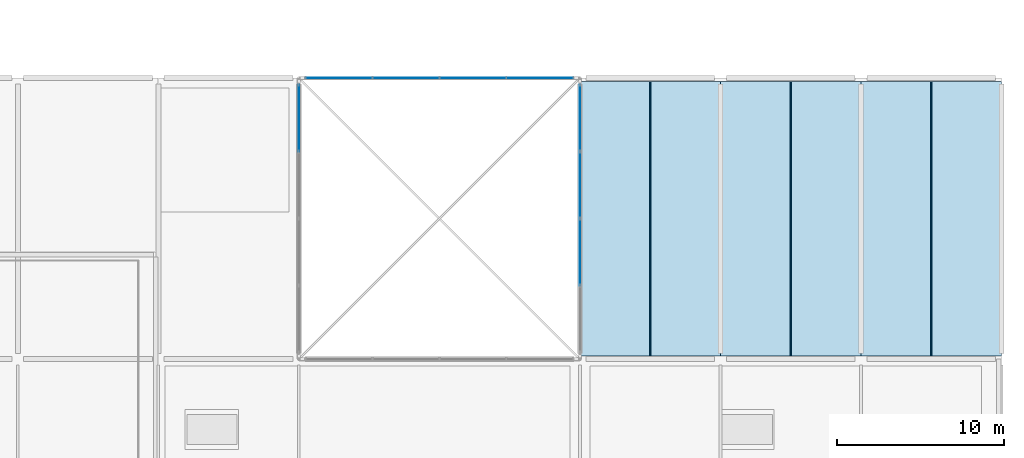
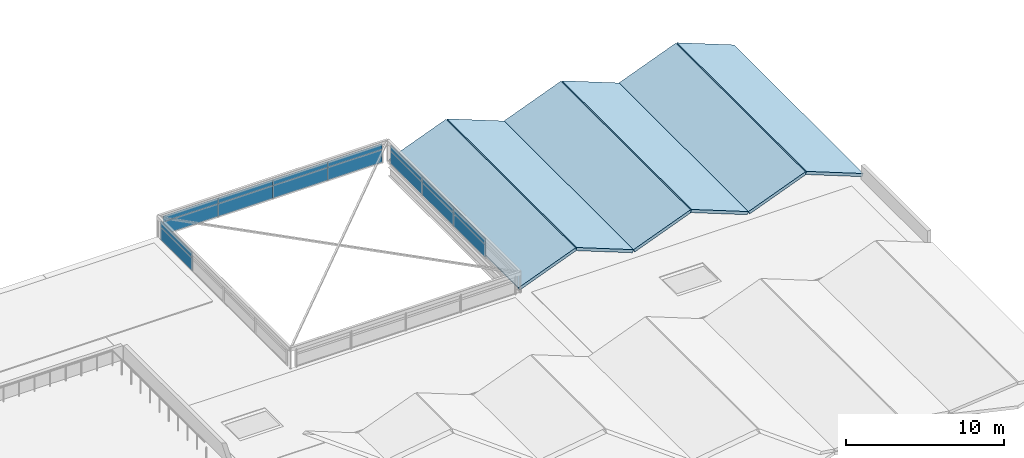
# One storey, part 73 of 81: 16 plates, 6 slabs, 3 elements without a shape of their own.
"""IFC4 building model written with IfcOpenShell, lengths in metres."""

from ifc_helpers import new_model, si_unit, direction, frame, frame_2d, origin, place, context, subcontext, project, spatial, polyline, rectangle, outline, extrude, material, layer, layer_set, type_object, element, aggregate, save


model = new_model("IFC4")

# Units and contexts
model_context = context("Model", 3, precision=1e-05, world=origin(), true_north=direction((0.0, 1.0)))
body_context = subcontext(model_context, "Body", "Model", "MODEL_VIEW")
ifc_project = project(units=[si_unit("LENGTHUNIT", "METRE"), si_unit("AREAUNIT", "SQUARE_METRE"), si_unit("VOLUMEUNIT", "CUBIC_METRE"), si_unit("PLANEANGLEUNIT", "RADIAN"), si_unit("MASSUNIT", "GRAM", prefix="KILO")], contexts=[model_context])

# Site, building, storey
site_placement = place(None, origin())
site = spatial("IfcSite", under=ifc_project, at=site_placement, CompositionType="ELEMENT")
building_placement = place(site_placement, origin())
building = spatial("IfcBuilding", under=site, at=building_placement, Name="Qawsi Khor Wholesale Market", CompositionType="ELEMENT")
storey_placement = place(building_placement, frame((0.0, 0.0, 16.199951171875)))
storey = spatial("IfcBuildingStorey", under=building, at=storey_placement, Name="L03", CompositionType="ELEMENT", Elevation=16.199951171875)

# Slabs
ifc_material_1 = material(Name="Concrete C40/50", Category="concrete")
ifc_layer_1 = layer(ifc_material_1, 0.22998046875, Name="Concrete C40/50")
ifc_layer_set_1 = layer_set([ifc_layer_1], Name="Concrete C40/50")
slab_type = type_object("IfcSlabType", Name="Folded Concrete Canopy Slab 230 C40/50", PredefinedType="ROOF", material=ifc_layer_set_1)
slab_1_placement = place(storey_placement, frame((168.0, 25.39990234375, 0.22998046875), z_axis=(-0.363278277529, 0.0, 0.931680681927), x_axis=(0.931680681927, 0.0, 0.363278277529)))
element("IfcSlab", 1, at=slab_1_placement, inside=storey, type_object=slab_type, Name="East Wing Folded Concrete Vault North 20A", PredefinedType="ROOF", context=body_context, shape_type="SweptSolid", body=[
    extrude(outline(polyline([(0.0, 0.0), (4.459713910008406, 0.0), (4.459713910008406, 16.400146484374996), (0.0, 16.400146484374996), (0.0, 0.0)])), origin(), (0.0, 0.0, -1.0), 0.22998046875),
])
slab_2_placement = place(storey_placement, frame((172.2451171875, 25.39990234375, 1.85009765625), z_axis=(0.363296806873, 0.0, 0.931673456806), x_axis=(0.931673456806, 0.0, -0.363296806873)))
element("IfcSlab", 2, at=slab_2_placement, inside=storey, type_object=slab_type, Name="East Wing Folded Concrete Vault North 20B", PredefinedType="ROOF", context=body_context, shape_type="SweptSolid", body=[
    extrude(outline(polyline([(0.0, 0.0), (4.459486449786371, 0.0), (4.459486449786371, 16.400146484375), (0.0, 16.400146484375), (0.0, 0.0)])), origin(), (0.0, 0.0, -1.0), 0.22998046875),
])
for number, where, z_axis, x_axis, name in (
    (3, (176.39990234375, 25.39990234375, 0.22998046875), (-0.363278277529, 0.0, 0.931680681927), (0.931680681927, 0.0, 0.363278277529), "East Wing Folded Concrete Vault North 21A"),
    (4, (180.64501953125, 25.39990234375, 1.85009765625), (0.363278277529, 0.0, 0.931680681927), (0.931680681927, 0.0, -0.363278277529), "East Wing Folded Concrete Vault North 21B"),
    (5, (184.800048828125, 25.39990234375, 0.22998046875), (-0.363278277529, 0.0, 0.931680681927), (0.931680681927, 0.0, 0.363278277529), "East Wing Folded Concrete Vault North 22A"),
    (6, (189.044921875, 25.39990234375, 1.85009765625), (0.363278277529, 0.0, 0.931680681927), (0.931680681927, 0.0, -0.363278277529), "East Wing Folded Concrete Vault North 22B"),
):
    element("IfcSlab", number, at=place(storey_placement, frame(where, z_axis=z_axis, x_axis=x_axis)), inside=storey, type_object=slab_type, Name=name, PredefinedType="ROOF", context=body_context, shape_type="SweptSolid", body=[
        extrude(outline(polyline([(0.0, 0.0), (4.459713910008406, 0.0), (4.459713910008406, 16.400146484374996), (0.0, 16.400146484374996), (0.0, 0.0)])), origin(), (0.0, 0.0, -1.0), 0.22998046875),
    ])

# Curtain wall, plates
ifc_material_2 = material(Name="Aluminium Anodised Bronze", Category="aluminium")
ifc_layer_2 = layer(ifc_material_2, 0.179931640625, Name="Aluminium Anodised Bronze")
ifc_layer_set_2 = layer_set([ifc_layer_2], Name="Aluminium Anodised Bronze")
curtain_wall_type = type_object("IfcCurtainWallType", Name="Atrium Full-Height Curtain Wall CW-02", PredefinedType="NOTDEFINED", material=ifc_layer_set_2)
curtain_wall_1_placement = place(storey_placement, origin())
curtain_wall_1 = element("IfcCurtainWall", 7, at=curtain_wall_1_placement, inside=storey, type_object=curtain_wall_type, Name="Curtain wall CW-CW-02-L03-051", PredefinedType="NOTDEFINED")
ifc_material_3 = material(Name="Tempered Low-E Solar Glass", Category="glass")
ifc_layer_3 = layer(ifc_material_3, 0.031982421875, Name="Tempered Low-E Solar Glass")
ifc_layer_set_3 = layer_set([ifc_layer_3], Name="Tempered Low-E Solar Glass")
plate_type = type_object("IfcPlateType", Name="Solar Double-Glazed Unit CW-02 32mm", PredefinedType="CURTAIN_PANEL", material=ifc_layer_set_3)
plate_1_placement = place(storey_placement, frame((151.594970703125, 42.0, 0.005126953125), z_axis=(0.0, 0.0, 1.0), x_axis=(1.0, 0.0, 0.0)))
plate_1 = element("IfcPlate", 8, at=plate_1_placement, type_object=plate_type, Name="Curtain panel CW-CW-02-L03-051-P0_00", PredefinedType="CURTAIN_PANEL", context=body_context, shape_type="SweptSolid", body=[
    extrude(rectangle(XDim=4.00244140625, YDim=0.031982421875, at=frame_2d((2.001220703125, 0.0))), origin(), (0.0, 0.0, 1.0), 0.989990234375),
])
plate_2_placement = place(storey_placement, frame((155.597412109375, 42.0, 0.005126953125), z_axis=(0.0, 0.0, 1.0), x_axis=(1.0, 0.0, 0.0)))
plate_2 = element("IfcPlate", 9, at=plate_2_placement, type_object=plate_type, Name="Curtain panel CW-CW-02-L03-051-P0_01", PredefinedType="CURTAIN_PANEL", context=body_context, shape_type="SweptSolid", body=[
    extrude(rectangle(XDim=4.002685546875, YDim=0.031982421875, at=frame_2d((2.00146484375, 0.0))), origin(), (0.0, 0.0, 1.0), 0.989990234375),
])
plate_3_placement = place(storey_placement, frame((159.60009765625, 42.0, 0.005126953125), z_axis=(0.0, 0.0, 1.0), x_axis=(1.0, 0.0, 0.0)))
plate_3 = element("IfcPlate", 10, at=plate_3_placement, type_object=plate_type, Name="Curtain panel CW-CW-02-L03-051-P0_02", PredefinedType="CURTAIN_PANEL", context=body_context, shape_type="SweptSolid", body=[
    extrude(rectangle(XDim=4.00244140625, YDim=0.031982421875, at=frame_2d((2.001220703125, 0.0))), origin(), (0.0, 0.0, 1.0), 0.989990234375),
])
plate_4_placement = place(storey_placement, frame((163.6025390625, 42.0, 0.005126953125), z_axis=(0.0, 0.0, 1.0), x_axis=(1.0, 0.0, 0.0)))
plate_4 = element("IfcPlate", 11, at=plate_4_placement, type_object=plate_type, Name="Curtain panel CW-CW-02-L03-051-P0_03", PredefinedType="CURTAIN_PANEL", context=body_context, shape_type="SweptSolid", body=[
    extrude(rectangle(XDim=4.00244140625, YDim=0.031982421875, at=frame_2d((2.001220703125, 0.0))), origin(), (0.0, 0.0, 1.0), 0.989990234375),
])
plate_5_placement = place(storey_placement, frame((151.594970703125, 42.0, 1.005126953125), z_axis=(0.0, 0.0, 1.0), x_axis=(1.0, 0.0, 0.0)))
plate_5 = element("IfcPlate", 12, at=plate_5_placement, type_object=plate_type, Name="Curtain panel CW-CW-02-L03-051-P1_00", PredefinedType="CURTAIN_PANEL", context=body_context, shape_type="SweptSolid", body=[
    extrude(rectangle(XDim=4.00244140625, YDim=0.031982421875, at=frame_2d((2.001220703125, 0.0))), origin(), (0.0, 0.0, 1.0), 0.43994140625),
])
plate_6_placement = place(storey_placement, frame((155.597412109375, 42.0, 1.005126953125), z_axis=(0.0, 0.0, 1.0), x_axis=(1.0, 0.0, 0.0)))
plate_6 = element("IfcPlate", 13, at=plate_6_placement, type_object=plate_type, Name="Curtain panel CW-CW-02-L03-051-P1_01", PredefinedType="CURTAIN_PANEL", context=body_context, shape_type="SweptSolid", body=[
    extrude(rectangle(XDim=4.002685546875, YDim=0.031982421875, at=frame_2d((2.00146484375, 0.0))), origin(), (0.0, 0.0, 1.0), 0.43994140625),
])
plate_7_placement = place(storey_placement, frame((159.60009765625, 42.0, 1.005126953125), z_axis=(0.0, 0.0, 1.0), x_axis=(1.0, 0.0, 0.0)))
plate_7 = element("IfcPlate", 14, at=plate_7_placement, type_object=plate_type, Name="Curtain panel CW-CW-02-L03-051-P1_02", PredefinedType="CURTAIN_PANEL", context=body_context, shape_type="SweptSolid", body=[
    extrude(rectangle(XDim=4.00244140625, YDim=0.031982421875, at=frame_2d((2.001220703125, 0.0))), origin(), (0.0, 0.0, 1.0), 0.43994140625),
])
plate_8_placement = place(storey_placement, frame((163.6025390625, 42.0, 1.005126953125), z_axis=(0.0, 0.0, 1.0), x_axis=(1.0, 0.0, 0.0)))
plate_8 = element("IfcPlate", 15, at=plate_8_placement, type_object=plate_type, Name="Curtain panel CW-CW-02-L03-051-P1_03", PredefinedType="CURTAIN_PANEL", context=body_context, shape_type="SweptSolid", body=[
    extrude(rectangle(XDim=4.00244140625, YDim=0.031982421875, at=frame_2d((2.001220703125, 0.0))), origin(), (0.0, 0.0, 1.0), 0.43994140625),
])
aggregate(curtain_wall_1, [plate_1, plate_2, plate_3, plate_4, plate_5, plate_6, plate_7, plate_8])

curtain_wall_2_placement = place(storey_placement, origin())
curtain_wall_2 = element("IfcCurtainWall", 16, at=curtain_wall_2_placement, inside=storey, type_object=curtain_wall_type, Name="Curtain wall CW-CW-02-L03-052", PredefinedType="NOTDEFINED")
plate_9_placement = place(storey_placement, frame((151.199951171875, 37.6025390625, 0.005126953125), z_axis=(0.0, 0.0, 1.0), x_axis=(0.0, 1.0, 0.0)))
plate_9 = element("IfcPlate", 17, at=plate_9_placement, type_object=plate_type, Name="Curtain panel CW-CW-02-L03-052-P0_03", PredefinedType="CURTAIN_PANEL", context=body_context, shape_type="SweptSolid", body=[
    extrude(rectangle(XDim=4.00244140625, YDim=0.031982421875, at=frame_2d((2.001220703125, 0.0))), origin(), (0.0, 0.0, 1.0), 0.989990234375),
])
plate_10_placement = place(storey_placement, frame((151.199951171875, 37.6025390625, 1.005126953125), z_axis=(0.0, 0.0, 1.0), x_axis=(0.0, 1.0, 0.0)))
plate_10 = element("IfcPlate", 18, at=plate_10_placement, type_object=plate_type, Name="Curtain panel CW-CW-02-L03-052-P1_03", PredefinedType="CURTAIN_PANEL", context=body_context, shape_type="SweptSolid", body=[
    extrude(rectangle(XDim=4.00244140625, YDim=0.031982421875, at=frame_2d((2.001220703125, 0.0))), origin(), (0.0, 0.0, 1.0), 0.43994140625),
])
aggregate(curtain_wall_2, [plate_9, plate_10])

curtain_wall_3_placement = place(storey_placement, origin())
curtain_wall_3 = element("IfcCurtainWall", 19, at=curtain_wall_3_placement, inside=storey, type_object=curtain_wall_type, Name="Curtain wall CW-CW-02-L03-053", PredefinedType="NOTDEFINED")
plate_11_placement = place(storey_placement, frame((168.0, 29.597412109375, 0.005126953125), z_axis=(0.0, 0.0, 1.0), x_axis=(0.0, 1.0, 0.0)))
plate_11 = element("IfcPlate", 20, at=plate_11_placement, type_object=plate_type, Name="Curtain panel CW-CW-02-L03-053-P0_01", PredefinedType="CURTAIN_PANEL", context=body_context, shape_type="SweptSolid", body=[
    extrude(rectangle(XDim=4.002685546875, YDim=0.031982421875, at=frame_2d((2.00146484375, 0.0))), origin(), (0.0, 0.0, 1.0), 0.989990234375),
])
plate_12_placement = place(storey_placement, frame((168.0, 33.60009765625, 0.005126953125), z_axis=(0.0, 0.0, 1.0), x_axis=(0.0, 1.0, 0.0)))
plate_12 = element("IfcPlate", 21, at=plate_12_placement, type_object=plate_type, Name="Curtain panel CW-CW-02-L03-053-P0_02", PredefinedType="CURTAIN_PANEL", context=body_context, shape_type="SweptSolid", body=[
    extrude(rectangle(XDim=4.00244140625, YDim=0.031982421875, at=frame_2d((2.001220703125, 0.0))), origin(), (0.0, 0.0, 1.0), 0.989990234375),
])
plate_13_placement = place(storey_placement, frame((168.0, 37.6025390625, 0.005126953125), z_axis=(0.0, 0.0, 1.0), x_axis=(0.0, 1.0, 0.0)))
plate_13 = element("IfcPlate", 22, at=plate_13_placement, type_object=plate_type, Name="Curtain panel CW-CW-02-L03-053-P0_03", PredefinedType="CURTAIN_PANEL", context=body_context, shape_type="SweptSolid", body=[
    extrude(rectangle(XDim=4.00244140625, YDim=0.031982421875, at=frame_2d((2.001220703125, 0.0))), origin(), (0.0, 0.0, 1.0), 0.989990234375),
])
plate_14_placement = place(storey_placement, frame((168.0, 29.597412109375, 1.005126953125), z_axis=(0.0, 0.0, 1.0), x_axis=(0.0, 1.0, 0.0)))
plate_14 = element("IfcPlate", 23, at=plate_14_placement, type_object=plate_type, Name="Curtain panel CW-CW-02-L03-053-P1_01", PredefinedType="CURTAIN_PANEL", context=body_context, shape_type="SweptSolid", body=[
    extrude(rectangle(XDim=4.002685546875, YDim=0.031982421875, at=frame_2d((2.00146484375, 0.0))), origin(), (0.0, 0.0, 1.0), 0.43994140625),
])
plate_15_placement = place(storey_placement, frame((168.0, 33.60009765625, 1.005126953125), z_axis=(0.0, 0.0, 1.0), x_axis=(0.0, 1.0, 0.0)))
plate_15 = element("IfcPlate", 24, at=plate_15_placement, type_object=plate_type, Name="Curtain panel CW-CW-02-L03-053-P1_02", PredefinedType="CURTAIN_PANEL", context=body_context, shape_type="SweptSolid", body=[
    extrude(rectangle(XDim=4.00244140625, YDim=0.031982421875, at=frame_2d((2.001220703125, 0.0))), origin(), (0.0, 0.0, 1.0), 0.43994140625),
])
plate_16_placement = place(storey_placement, frame((168.0, 37.6025390625, 1.005126953125), z_axis=(0.0, 0.0, 1.0), x_axis=(0.0, 1.0, 0.0)))
plate_16 = element("IfcPlate", 25, at=plate_16_placement, type_object=plate_type, Name="Curtain panel CW-CW-02-L03-053-P1_03", PredefinedType="CURTAIN_PANEL", context=body_context, shape_type="SweptSolid", body=[
    extrude(rectangle(XDim=4.00244140625, YDim=0.031982421875, at=frame_2d((2.001220703125, 0.0))), origin(), (0.0, 0.0, 1.0), 0.43994140625),
])
aggregate(curtain_wall_3, [plate_11, plate_12, plate_13, plate_14, plate_15, plate_16])

save(model, "model.ifc")
